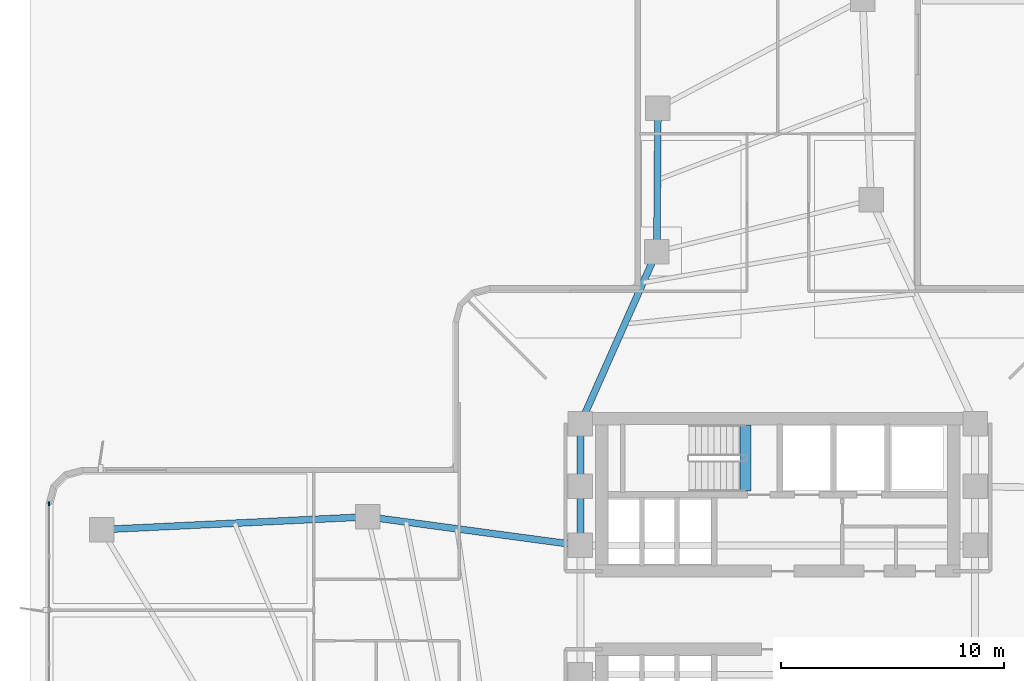
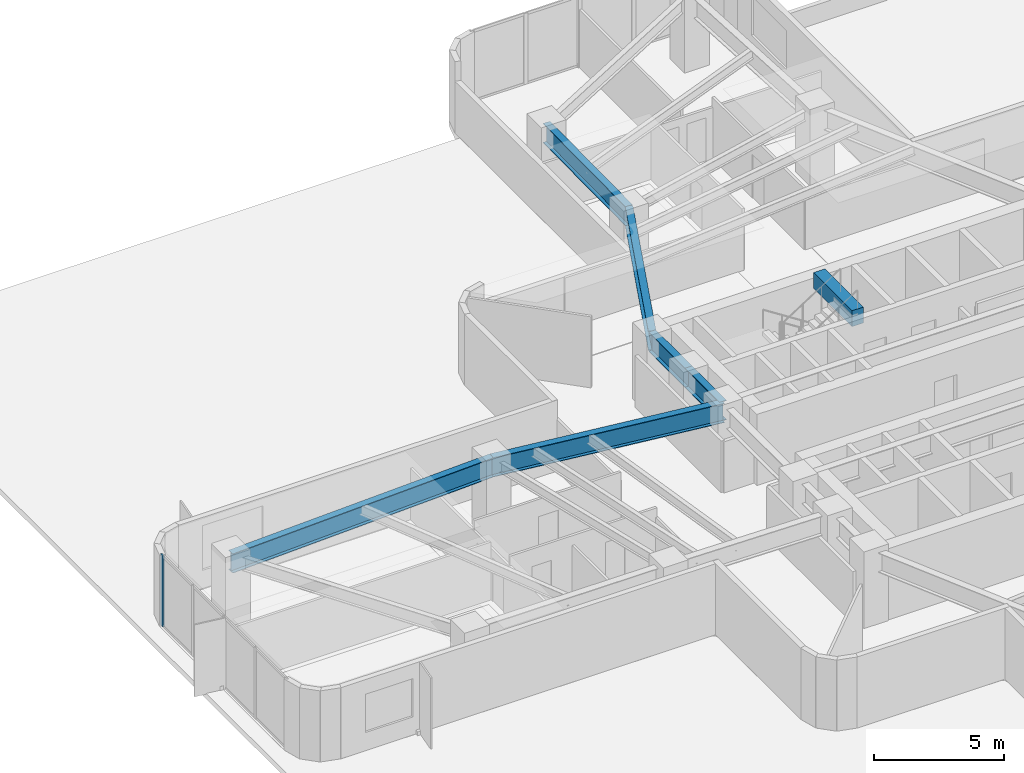
# One storey, part 4 of 14: 7 beams, 1 member, 1 element without a shape of its own.
"""IFC4 building model written with IfcOpenShell, lengths in metres."""

from ifc_helpers import new_model, si_unit, direction, frame, origin, origin_2d, place, context, subcontext, project, spatial, rectangle, i_section, extrude, material, layer, layer_set, material_profile, profile_set, type_object, element, aggregate, save


model = new_model("IFC4")

# Units and contexts
model_context = context("Model", 3, precision=1e-05, world=origin(), true_north=direction((0.0, 1.0)))
body_context = subcontext(model_context, "Body", "Model", "MODEL_VIEW")
ifc_project = project(units=[si_unit("LENGTHUNIT", "METRE"), si_unit("AREAUNIT", "SQUARE_METRE"), si_unit("VOLUMEUNIT", "CUBIC_METRE"), si_unit("PLANEANGLEUNIT", "RADIAN"), si_unit("MASSUNIT", "GRAM", prefix="KILO")], contexts=[model_context])

# Site, building, storey
site_placement = place(None, origin())
site = spatial("IfcSite", under=ifc_project, at=site_placement, CompositionType="ELEMENT")
building_placement = place(site_placement, origin())
building = spatial("IfcBuilding", under=site, at=building_placement, Name="Solmarez Civic Tower", CompositionType="ELEMENT")
storey_placement = place(building_placement, frame((0.0, 0.0, 24.47998046875)))
storey = spatial("IfcBuildingStorey", under=building, at=storey_placement, Name="L05", CompositionType="ELEMENT", Elevation=24.47998046875)

# Beams
ifc_material_1 = material(Name="Concrete C50/60", Category="concrete")
ifc_material_profile_1 = material_profile(ifc_material_1, rectangle(XDim=0.5, YDim=0.75, at=origin_2d()), Name="RC500X750")
ifc_profile_set_1 = profile_set([ifc_material_profile_1], Name="Concrete C50/60")
beam_type_1 = type_object("IfcBeamType", Name="BM-PR-RC500X750", PredefinedType="BEAM", material=ifc_profile_set_1)
beam_1_placement = place(storey_placement, frame((-1.449951171875, 5.340087890625, 3.23291015625), z_axis=(0.0, 1.0, 0.0), x_axis=(-1.0, 0.0, 0.0)))
element("IfcBeam", 1, at=beam_1_placement, inside=storey, type_object=beam_type_1, Name="L05 North Stair Threshold Beam", PredefinedType="BEAM", context=body_context, shape_type="SweptSolid", body=[
    extrude(rectangle(XDim=0.5, YDim=0.75, at=origin_2d()), origin(), (0.0, 0.0, 1.0), 2.9599609375),
])
ifc_material_2 = material(Name="Steel S355", Category="steel")
ifc_material_profile_2 = material_profile(ifc_material_2, i_section(OverallWidth=0.303955078125, OverallDepth=0.910888671875, WebThickness=0.015869140625, FlangeThickness=0.02392578125, at=origin_2d()), Name="W36X150")
ifc_profile_set_2 = profile_set([ifc_material_profile_2], Name="Steel S355")
beam_type_2 = type_object("IfcBeamType", Name="BM-PR-W36X150", PredefinedType="BEAM", material=ifc_profile_set_2)
beam_2_placement = place(storey_placement, frame((-8.85009765625, 8.35009765625, 2.884033203125), z_axis=(0.405693556952, 0.914009156326, 0.0), x_axis=(-0.914009156326, 0.405693556952, 0.0)))
element("IfcBeam", 2, at=beam_2_placement, inside=storey, type_object=beam_type_2, Name="L05 Primary Floor Beam BM-L05-NA-R1B", PredefinedType="BEAM", context=body_context, shape_type="SweptSolid", body=[
    extrude(i_section(OverallWidth=0.303955078125, OverallDepth=0.910888671875, WebThickness=0.015869140625, FlangeThickness=0.02392578125, at=origin_2d()), origin(), (0.0, 0.0, 1.0), 8.45263671875),
])
beam_3_placement = place(storey_placement, frame((-5.4208984375, 16.075927734375, 2.884033203125), z_axis=(0.007592219108, 0.999971178689, 0.0), x_axis=(-0.999971178689, 0.007592219108, 0.0)))
element("IfcBeam", 3, at=beam_3_placement, inside=storey, type_object=beam_type_2, Name="L05 Primary Floor Beam BM-L05-NA-R2B", PredefinedType="BEAM", context=body_context, shape_type="SweptSolid", body=[
    extrude(i_section(OverallWidth=0.303955078125, OverallDepth=0.910888671875, WebThickness=0.015869140625, FlangeThickness=0.02392578125, at=origin_2d()), origin(), (0.0, 0.0, 1.0), 6.431396484375),
])
beam_4_placement = place(storey_placement, frame((-8.85009765625, 2.89990234375, 2.884033203125), z_axis=(-0.991063240718, 0.133392851745, 0.0), x_axis=(-0.133392851745, -0.991063240718, 0.0)))
element("IfcBeam", 4, at=beam_4_placement, inside=storey, type_object=beam_type_2, Name="L05 Primary Floor Beam BM-L05-WA-R1A", PredefinedType="BEAM", context=body_context, shape_type="SweptSolid", body=[
    extrude(i_section(OverallWidth=0.303955078125, OverallDepth=0.910888671875, WebThickness=0.015869140625, FlangeThickness=0.02392578125, at=origin_2d()), origin(), (0.0, 0.0, 1.0), 9.626953125),
])
beam_5_placement = place(storey_placement, frame((-18.39111328125, 4.18408203125, 2.884033203125), z_axis=(-0.998839135977, -0.048170327398, 0.0), x_axis=(0.048170327398, -0.998839135977, 0.0)))
element("IfcBeam", 5, at=beam_5_placement, inside=storey, type_object=beam_type_2, Name="L05 Primary Floor Beam BM-L05-WA-R2A", PredefinedType="BEAM", context=body_context, shape_type="SweptSolid", body=[
    extrude(i_section(OverallWidth=0.303955078125, OverallDepth=0.910888671875, WebThickness=0.015869140625, FlangeThickness=0.02392578125, at=origin_2d()), origin(), (0.0, 0.0, 1.0), 11.94091796875),
])
ifc_material_profile_3 = material_profile(ifc_material_2, i_section(OverallWidth=0.306884765625, OverallDepth=0.927001953125, WebThickness=0.019287109375, FlangeThickness=0.031982421875, at=origin_2d()), Name="W36X194")
ifc_profile_set_3 = profile_set([ifc_material_profile_3], Name="Steel S355")
beam_type_3 = type_object("IfcBeamType", Name="BM-PR-W36X194", PredefinedType="BEAM", material=ifc_profile_set_3)
beam_6_placement = place(storey_placement, frame((-8.85009765625, 2.89990234375, 2.876953125), z_axis=(0.0, 1.0, 0.0), x_axis=(-1.0, 0.0, 0.0)))
element("IfcBeam", 6, at=beam_6_placement, inside=storey, type_object=beam_type_3, Name="L05 Primary Floor Beam BM-L05-HC3-HC4", PredefinedType="BEAM", context=body_context, shape_type="SweptSolid", body=[
    extrude(i_section(OverallWidth=0.306884765625, OverallDepth=0.927001953125, WebThickness=0.019287109375, FlangeThickness=0.031982421875, at=origin_2d()), origin(), (0.0, 0.0, 1.0), 2.650146484375),
])
beam_7_placement = place(storey_placement, frame((-8.85009765625, 5.550048828125, 2.876953125), z_axis=(0.0, 1.0, 0.0), x_axis=(-1.0, 0.0, 0.0)))
element("IfcBeam", 7, at=beam_7_placement, inside=storey, type_object=beam_type_3, Name="L05 Primary Floor Beam BM-L05-HC4-HC9", PredefinedType="BEAM", context=body_context, shape_type="SweptSolid", body=[
    extrude(i_section(OverallWidth=0.306884765625, OverallDepth=0.927001953125, WebThickness=0.019287109375, FlangeThickness=0.031982421875, at=origin_2d()), origin(), (0.0, 0.0, 1.0), 2.800048828125),
])

# Curtain wall, member
ifc_material_3 = material(Name="Bronze Anodised Aluminium EN AW-6063 T6", Category="aluminium")
ifc_layer = layer(ifc_material_3, 0.18505859375)
ifc_layer_set = layer_set([ifc_layer], Name="Bronze Anodised Aluminium EN AW-6063 T6")
curtain_wall_type = type_object("IfcCurtainWallType", Name="CW-SYS-2", PredefinedType="NOTDEFINED", material=ifc_layer_set)
curtain_wall_placement = place(storey_placement, origin())
curtain_wall = element("IfcCurtainWall", 8, at=curtain_wall_placement, inside=storey, type_object=curtain_wall_type, Name="L05 Stick-Built Curtain Wall 1", PredefinedType="NOTDEFINED")
ifc_material_profile_4 = material_profile(ifc_material_3, rectangle(XDim=0.070068359375, YDim=0.179931640625, at=origin_2d()), Name="CWM-70X180")
ifc_profile_set_4 = profile_set([ifc_material_profile_4], Name="Bronze Anodised Aluminium EN AW-6063 T6")
member_type = type_object("IfcMemberType", Name="CWM-TYPE-2", PredefinedType="MULLION", material=ifc_profile_set_4)
member_placement = place(storey_placement, frame((-32.679931640625, 4.77392578125, 0.0), z_axis=(0.0, 0.0, 1.0), x_axis=(-1.0, 0.0, 0.0)))
member = element("IfcMember", 9, at=member_placement, type_object=member_type, Name="CWS2 mullion 5", PredefinedType="MULLION", context=body_context, shape_type="SweptSolid", body=[
    extrude(rectangle(XDim=0.070068359375, YDim=0.179931640625, at=origin_2d()), origin(), (0.0, 0.0, 1.0), 3.340087890625),
])
aggregate(curtain_wall, [member])

save(model, "model.ifc")
